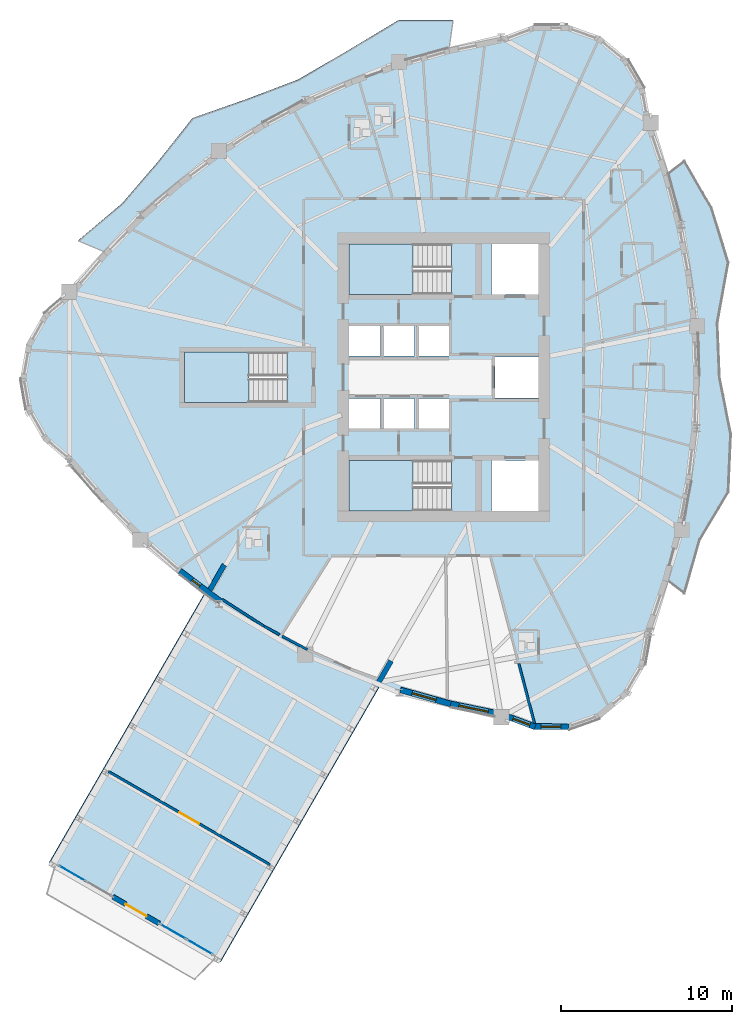
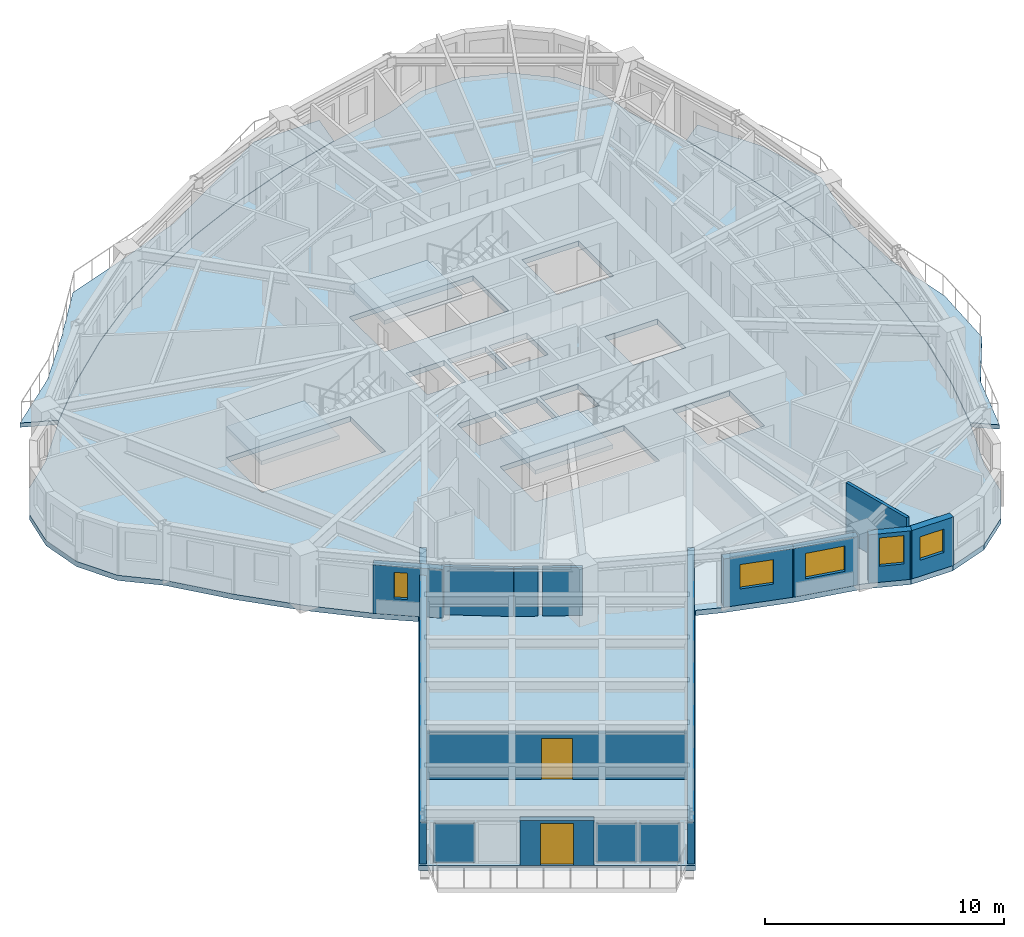
# One storey, part 4 of 17: 13 walls, 6 slabs, 5 windows, 3 plates, 2 doors, 7 openings, 5 elements without a shape of their own.
"""IFC4 building model written with IfcOpenShell, lengths in metres."""

from ifc_helpers import new_model, si_unit, direction, frame, frame_2d, origin, origin_2d, place, context, subcontext, project, spatial, polyline, rectangle, outline, extrude, source, transform, mapped, material, layer, layer_set, type_object, element, fill, aggregate, save


model = new_model("IFC4")

# Units and contexts
model_context = context("Model", 3, precision=1e-05, world=origin(), true_north=direction((0.0, 1.0)))
body_context = subcontext(model_context, "Body", "Model", "MODEL_VIEW")
ifc_project = project(units=[si_unit("LENGTHUNIT", "METRE"), si_unit("AREAUNIT", "SQUARE_METRE"), si_unit("VOLUMEUNIT", "CUBIC_METRE"), si_unit("PLANEANGLEUNIT", "RADIAN"), si_unit("MASSUNIT", "GRAM", prefix="KILO")], contexts=[model_context])

# Site, building, storey
site_placement = place(None, origin())
site = spatial("IfcSite", under=ifc_project, at=site_placement, CompositionType="ELEMENT")
building_placement = place(site_placement, origin())
building = spatial("IfcBuilding", under=site, at=building_placement, Name="Qafzar Sky-Pleat Residences", CompositionType="ELEMENT")
storey_placement = place(building_placement, frame((0.0, 0.0, 115.199951171875)))
storey = spatial("IfcBuildingStorey", under=building, at=storey_placement, Name="L34", CompositionType="ELEMENT", Elevation=115.199951171875)

# Slabs
ifc_material_1 = material(Name="Concrete C40/50", Category="concrete")
ifc_layer_1 = layer(ifc_material_1, 0.219970703125)
ifc_layer_set_1 = layer_set([ifc_layer_1], Name="Concrete C40/50")
slab_type_1 = type_object("IfcSlabType", Name="SLAB-BAL-220", PredefinedType="USERDEFINED", material=ifc_layer_set_1)
slab_1_placement = place(storey_placement, frame((0.0, 0.0, -0.219970703125)))
element("IfcSlab", 1, at=slab_1_placement, inside=storey, type_object=slab_type_1, Name="L34 Pleated Stone Balcony 1", ObjectType="BALCONY", PredefinedType="USERDEFINED", context=body_context, shape_type="SweptSolid", body=[
    extrude(outline(polyline([(44.269287109375, 17.06884765625), (44.83544921875, 20.0458984375), (45.175048828125, 23.02294921875), (45.288330078125, 26.0), (45.175048828125, 28.97705078125), (44.83544921875, 31.9541015625), (44.269287109375, 34.93115234375), (43.47705078125, 37.90771484375), (44.458251953125, 38.66259765625), (46.055908203125, 35.911865234375), (47.032958984375, 32.7314453125), (46.39501953125, 29.188720703125), (46.5263671875, 26.0), (47.18310546875, 22.6748046875), (47.032958984375, 19.2685546875), (45.354736328125, 16.47314453125), (44.458251953125, 13.33740234375), (43.47705078125, 14.09228515625), (44.269287109375, 17.06884765625)])), origin(), (0.0, 0.0, 1.0), 0.219970703125),
])
slab_2_placement = place(storey_placement, frame((0.0, 0.0, -0.219970703125)))
element("IfcSlab", 2, at=slab_2_placement, inside=storey, type_object=slab_type_1, Name="L34 Pleated Stone Balcony 2", ObjectType="BALCONY", PredefinedType="USERDEFINED", context=body_context, shape_type="SweptSolid", body=[
    extrude(outline(polyline([(27.753662109375, 44.442626953125), (24.946044921875, 43.43408203125), (22.251708984375, 42.23388671875), (19.670166015625, 40.84130859375), (17.201904296875, 39.256591796875), (14.84716796875, 37.480224609375), (12.60546875, 35.51171875), (10.477294921875, 33.351318359375), (8.966796875, 33.985107421875), (11.55224609375, 36.162353515625), (13.613037109375, 38.557373046875), (15.662109375, 41.14697265625), (18.868408203125, 42.269775390625), (21.83837890625, 43.40087890625), (24.663330078125, 45.047607421875), (27.72119140625, 46.88037109375), (30.8994140625, 46.88134765625), (30.67431640625, 45.2587890625), (27.753662109375, 44.442626953125)])), origin(), (0.0, 0.0, 1.0), 0.219970703125),
])

# Stair, slab
stair_type = type_object("IfcStairType", Name="STAIR-H320", PredefinedType="HALF_TURN_STAIR", material=ifc_material_1)
stair_1_placement = place(storey_placement, origin())
stair_1 = element("IfcStair", 3, at=stair_1_placement, inside=storey, type_object=stair_type, Name="L34 Protected Exit Stair ST1", PredefinedType="HALF_TURN_STAIR")
ifc_layer_2 = layer(ifc_material_1, 0.199951171875)
ifc_layer_set_2 = layer_set([ifc_layer_2], Name="Concrete C40/50")
slab_type_2 = type_object("IfcSlabType", Name="SLAB-LANDING-200", PredefinedType="LANDING", material=ifc_layer_set_2)
slab_3_placement = place(storey_placement, frame((0.0, 0.0, 1.400146484375)))
slab_3 = element("IfcSlab", 4, at=slab_3_placement, type_object=slab_type_2, Name="ST1 landing 1", PredefinedType="LANDING", context=body_context, shape_type="SweptSolid", body=[
    extrude(outline(polyline([(28.56005859375, 21.14990234375), (24.800048828125, 21.14990234375), (24.800048828125, 18.199951171875), (28.56005859375, 18.199951171875), (28.56005859375, 21.14990234375)])), origin(), (0.0, 0.0, 1.0), 0.199951171875),
])
aggregate(stair_1, [slab_3])

stair_2_placement = place(storey_placement, origin())
stair_2 = element("IfcStair", 5, at=stair_2_placement, inside=storey, type_object=stair_type, Name="L34 Protected Exit Stair ST2", PredefinedType="HALF_TURN_STAIR")
slab_4_placement = place(storey_placement, frame((0.0, 0.0, 1.400146484375)))
slab_4 = element("IfcSlab", 6, at=slab_4_placement, type_object=slab_type_2, Name="ST2 landing 1", PredefinedType="LANDING", context=body_context, shape_type="SweptSolid", body=[
    extrude(outline(polyline([(28.56005859375, 33.800048828125), (24.800048828125, 33.800048828125), (24.800048828125, 30.85009765625), (28.56005859375, 30.85009765625), (28.56005859375, 33.800048828125)])), origin(), (0.0, 0.0, 1.0), 0.199951171875),
])
aggregate(stair_2, [slab_4])

stair_3_placement = place(storey_placement, origin())
stair_3 = element("IfcStair", 7, at=stair_3_placement, inside=storey, type_object=stair_type, Name="L34 Protected Exit Stair ST3", PredefinedType="HALF_TURN_STAIR")
slab_5_placement = place(storey_placement, frame((0.0, 0.0, 1.400146484375)))
slab_5 = element("IfcSlab", 8, at=slab_5_placement, type_object=slab_type_2, Name="ST3 landing 1", PredefinedType="LANDING", context=body_context, shape_type="SweptSolid", body=[
    extrude(outline(polyline([(18.9599609375, 27.47509765625), (15.199951171875, 27.47509765625), (15.199951171875, 24.52490234375), (18.9599609375, 24.52490234375), (18.9599609375, 27.47509765625)])), origin(), (0.0, 0.0, 1.0), 0.199951171875),
])
aggregate(stair_3, [slab_5])

# Slab
ifc_layer_3 = layer(ifc_material_1, 0.264892578125)
ifc_layer_set_3 = layer_set([ifc_layer_3], Name="Concrete C40/50")
slab_type_3 = type_object("IfcSlabType", Name="SLAB-SB-265", PredefinedType="FLOOR", material=ifc_layer_set_3)
slab_6_placement = place(storey_placement, frame((0.0, 0.0, -0.264892578125)))
element("IfcSlab", 9, at=slab_6_placement, inside=storey, type_object=slab_type_3, Name="L34 Structural Floor Slab", PredefinedType="FLOOR", context=body_context, shape_type="SweptSolid", body=[
    extrude(outline(polyline([(17.31787109375, -8.172607421875), (7.27197265625, -2.37255859375), (16.3701171875, 13.3857421875), (14.856201171875, 14.527587890625), (12.61572265625, 16.49462890625), (10.48828125, 18.6533203125), (8.47412109375, 21.003662109375), (6.9541015625, 22.298828125), (5.963623046875, 24.032958984375), (5.619873046875, 26.0), (5.963623046875, 27.967041015625), (6.9541015625, 29.701171875), (8.47412109375, 30.996337890625), (10.48828125, 33.3466796875), (12.61572265625, 35.50537109375), (14.856201171875, 37.472412109375), (17.20947265625, 39.247314453125), (19.676025390625, 40.830810546875), (22.255615234375, 42.222412109375), (24.947998046875, 43.42236328125), (27.75390625, 44.4306640625), (30.672607421875, 45.2470703125), (33.704345703125, 45.87158203125), (35.599365234375, 46.57958984375), (37.622314453125, 46.593505859375), (39.527099609375, 45.91162109375), (41.081787109375, 44.6171875), (42.09716796875, 42.867431640625), (42.449951171875, 40.87548828125), (43.467529296875, 37.900390625), (44.2587890625, 34.92529296875), (44.82421875, 31.9501953125), (45.163330078125, 28.97509765625), (45.2763671875, 26.0), (45.163330078125, 23.02490234375), (44.82421875, 20.0498046875), (44.2587890625, 17.07470703125), (43.467529296875, 14.099609375), (42.449951171875, 11.12451171875), (42.09716796875, 9.132568359375), (41.081787109375, 7.3828125), (39.527099609375, 6.08837890625), (37.622314453125, 5.406494140625), (35.599365234375, 5.42041015625), (33.704345703125, 6.12841796875), (30.672607421875, 6.7529296875), (27.75390625, 7.5693359375), (26.637939453125, 7.970458984375), (17.31787109375, -8.172607421875)]), holes=[polyline([(30.797119140625, 21.14990234375), (24.800048828125, 21.14990234375), (24.800048828125, 18.199951171875), (30.797119140625, 18.199951171875), (30.797119140625, 21.14990234375)]), polyline([(30.797119140625, 33.800048828125), (24.800048828125, 33.800048828125), (24.800048828125, 30.85009765625), (30.797119140625, 30.85009765625), (30.797119140625, 33.800048828125)]), polyline([(21.197021484375, 27.47509765625), (15.199951171875, 27.47509765625), (15.199951171875, 24.52490234375), (21.197021484375, 24.52490234375), (21.197021484375, 27.47509765625)]), polyline([(24.800048828125, 22.949951171875), (26.64990234375, 22.949951171875), (26.64990234375, 24.75), (24.800048828125, 24.75), (24.800048828125, 22.949951171875)]), polyline([(26.800048828125, 22.949951171875), (28.64990234375, 22.949951171875), (28.64990234375, 24.75), (26.800048828125, 24.75), (26.800048828125, 22.949951171875)]), polyline([(28.800048828125, 22.949951171875), (30.64990234375, 22.949951171875), (30.64990234375, 24.75), (28.800048828125, 24.75), (28.800048828125, 22.949951171875)]), polyline([(24.800048828125, 27.25), (26.64990234375, 27.25), (26.64990234375, 29.050048828125), (24.800048828125, 29.050048828125), (24.800048828125, 27.25)]), polyline([(26.800048828125, 27.25), (28.64990234375, 27.25), (28.64990234375, 29.050048828125), (26.800048828125, 29.050048828125), (26.800048828125, 27.25)]), polyline([(28.800048828125, 27.25), (30.64990234375, 27.25), (30.64990234375, 29.050048828125), (28.800048828125, 29.050048828125), (28.800048828125, 27.25)]), polyline([(33.14990234375, 18.199951171875), (35.89990234375, 18.199951171875), (35.89990234375, 21.14990234375), (33.14990234375, 21.14990234375), (33.14990234375, 18.199951171875)]), polyline([(33.14990234375, 30.85009765625), (35.89990234375, 30.85009765625), (35.89990234375, 33.800048828125), (33.14990234375, 33.800048828125), (33.14990234375, 30.85009765625)]), polyline([(33.35009765625, 24.800048828125), (35.89990234375, 24.800048828125), (35.89990234375, 27.199951171875), (33.35009765625, 27.199951171875), (33.35009765625, 24.800048828125)])]), origin(), (0.0, 0.0, 1.0), 0.264892578125),
])

# Curtain wall, plates
ifc_material_2 = material(Name="Anodised bronze aluminium framing", Category="aluminium")
ifc_layer_4 = layer(ifc_material_2, 0.239990234375)
ifc_layer_set_4 = layer_set([ifc_layer_4], Name="Anodised bronze aluminium framing")
curtain_wall_type_1 = type_object("IfcCurtainWallType", Name="CW-SYS-02", PredefinedType="NOTDEFINED", material=ifc_layer_set_4)
curtain_wall_1_placement = place(storey_placement, origin())
curtain_wall_1 = element("IfcCurtainWall", 10, at=curtain_wall_1_placement, inside=storey, type_object=curtain_wall_type_1, Name="L34 CW-02 Curtain Wall CW-L34-SB-3-PROW-L", PredefinedType="NOTDEFINED")
ifc_material_3 = material(Name="Solar-control double low-E glazing", Category="glass")
ifc_layer_5 = layer(ifc_material_3, 0.031982421875)
ifc_layer_set_5 = layer_set([ifc_layer_5], Name="Solar-control double low-E glazing")
plate_type_1 = type_object("IfcPlateType", Name="CWP-02", PredefinedType="CURTAIN_PANEL", material=ifc_layer_set_5)
shared_shape_1 = source(origin(), body_context, "Body", "SweptSolid", [
    extrude(rectangle(XDim=1.7275390625, YDim=0.031982421875, at=origin_2d()), origin(), (0.0, 0.0, 1.0), 1.97998046875),
])
plate_1_placement = place(storey_placement, frame((16.0947265625, -7.293212890625, 0.074951171875), z_axis=(0.0, 0.0, 1.0), x_axis=(-0.866027204994, 0.499996880201, 0.0)))
plate_1 = element("IfcPlate", 11, at=plate_1_placement, type_object=plate_type_1, Name="CW-02 panel 1.1", PredefinedType="CURTAIN_PANEL", context=body_context, shape_type="MappedRepresentation", body=[
    mapped(shared_shape_1, transform((0.0, 0.0, 0.0), x_axis=(1.0, 0.0, 0.0), y_axis=(0.0, 1.0, 0.0), z_axis=(0.0, 0.0, 1.0), scale=1.0)),
])
plate_2_placement = place(storey_placement, frame((14.53369140625, -6.39208984375, 0.074951171875), z_axis=(0.0, 0.0, 1.0), x_axis=(-0.866027204994, 0.499996880201, 0.0)))
plate_2 = element("IfcPlate", 12, at=plate_2_placement, type_object=plate_type_1, Name="CW-02 panel 2.1", PredefinedType="CURTAIN_PANEL", context=body_context, shape_type="MappedRepresentation", body=[
    mapped(shared_shape_1, transform((0.0, 0.0, 0.0), x_axis=(1.0, 0.0, 0.0), y_axis=(0.0, 1.0, 0.0), z_axis=(0.0, 0.0, 1.0), scale=1.0)),
])
aggregate(curtain_wall_1, [plate_1, plate_2])

# Curtain wall, plate
ifc_layer_6 = layer(ifc_material_2, 0.219970703125)
ifc_layer_set_6 = layer_set([ifc_layer_6], Name="Anodised bronze aluminium framing")
curtain_wall_type_2 = type_object("IfcCurtainWallType", Name="CW-SYS-03", PredefinedType="NOTDEFINED", material=ifc_layer_set_6)
curtain_wall_2_placement = place(storey_placement, origin())
curtain_wall_2 = element("IfcCurtainWall", 13, at=curtain_wall_2_placement, inside=storey, type_object=curtain_wall_type_2, Name="L34 CW-03 Curtain Wall CW-L34-SB-3-PROW-R", PredefinedType="NOTDEFINED")
ifc_layer_7 = layer(ifc_material_3, 0.030029296875)
ifc_layer_set_7 = layer_set([ifc_layer_7], Name="Solar-control double low-E glazing")
plate_type_2 = type_object("IfcPlateType", Name="CWP-03", PredefinedType="CURTAIN_PANEL", material=ifc_layer_set_7)
shared_shape_2 = source(origin(), body_context, "Body", "SweptSolid", [
    extrude(rectangle(XDim=1.735107421875, YDim=0.030029296875, at=origin_2d()), origin(), (0.0, 0.0, 1.0), 1.989990234375),
])
plate_3_placement = place(storey_placement, frame((8.643798828125, -2.991455078125, 0.06982421875), z_axis=(0.0, 0.0, 1.0), x_axis=(-0.866027204994, 0.499996880201, 0.0)))
plate_3 = element("IfcPlate", 14, at=plate_3_placement, type_object=plate_type_2, Name="CW-03 panel 2.1", PredefinedType="CURTAIN_PANEL", context=body_context, shape_type="MappedRepresentation", body=[
    mapped(shared_shape_2, transform((0.0, 0.0, 0.0), x_axis=(1.0, 0.0, 0.0), y_axis=(0.0, 1.0, 0.0), z_axis=(0.0, 0.0, 1.0), scale=1.0)),
])
aggregate(curtain_wall_2, [plate_3])

# Wall, opening, door
ifc_material_4 = material(Name="Acoustic gypsum plasterboard partition", Category="gypsum")
ifc_layer_8 = layer(ifc_material_4, 0.14501953125)
ifc_layer_set_8 = layer_set([ifc_layer_8], Name="Acoustic gypsum plasterboard partition")
wall_type_1 = type_object("IfcWallType", Name="PART-UNIT-145", PredefinedType="PARTITIONING", material=ifc_layer_set_8)
wall_1_placement = place(storey_placement, frame((20.2060546875, -2.493896484375, 0.0), z_axis=(0.0, 0.0, 1.0), x_axis=(-0.866034115916, 0.499984909842, 0.0)))
wall_1 = element("IfcWall", 15, at=wall_1_placement, inside=storey, type_object=wall_type_1, Name="L34 Partition Wall PART-L34-PW-001", PredefinedType="PARTITIONING", context=body_context, shape_type="SweptSolid", body=[
    extrude(rectangle(XDim=10.924072265625, YDim=0.14501953125, at=frame_2d((5.4619140625, 0.0))), origin(), (0.0, 0.0, 1.0), 2.383056640625),
])
opening_1_placement = place(wall_1_placement, frame((4.812255859375, 0.0, 0.0)))
opening_1 = element("IfcOpeningElement", 16, at=opening_1_placement, cuts=wall_1, Name="Opening ID-05", PredefinedType="OPENING", context=body_context, shape_type="SweptSolid", body=[
    extrude(rectangle(XDim=1.300048828125, YDim=2.10009765625, at=frame_2d((0.64990234375, 1.050048828125))), frame((0.0, 0.08251953125, 0.0), z_axis=(0.0, -1.0, 0.0), x_axis=(1.0, 0.0, 0.0)), (0.0, 0.0, 1.0), 0.1650390625),
])
ifc_material_5 = material(Name="Timber-faced fire door", Category="wood")
door_type_1 = type_object("IfcDoorType", Name="DR-LNG-1300", OperationType="DOUBLE_DOOR_SINGLE_SWING", PredefinedType="DOOR", material=ifc_material_5)
shared_shape_3 = source(origin(), body_context, "Body", "SweptSolid", [
    extrude(rectangle(XDim=1.300048828125, YDim=2.10009765625, at=frame_2d((0.64990234375, 1.050048828125))), frame((0.0, 0.02490234375, 0.0), z_axis=(0.0, -1.0, 0.0), x_axis=(1.0, 0.0, 0.0)), (0.0, 0.0, 1.0), 0.050048828125),
])
door_1_placement = place(opening_1_placement, origin())
door_1 = element("IfcDoor", 17, at=door_1_placement, inside=storey, type_object=door_type_1, Name="L34 Panorama Sky Lounge Door", OperationType="DOUBLE_DOOR_SINGLE_SWING", OverallHeight=2.10009765625, OverallWidth=1.300048828125, PredefinedType="DOOR", context=body_context, shape_type="MappedRepresentation", body=[
    mapped(shared_shape_3, transform((0.0, 0.0, 0.0), x_axis=(1.0, 0.0, 0.0), y_axis=(0.0, 1.0, 0.0), z_axis=(0.0, 0.0, 1.0), scale=1.0)),
])
fill(opening_1, door_1)

# Walls
wall_2_placement = place(storey_placement, frame((34.73681640625, 9.263916015625, 0.0), z_axis=(0.0, 0.0, 1.0), x_axis=(0.253650405993, -0.967295958608, 0.0)))
element("IfcWall", 18, at=wall_2_placement, inside=storey, type_object=wall_type_1, Name="L34 Partition Wall PART-L34-PW-046", PredefinedType="PARTITIONING", context=body_context, shape_type="SweptSolid", body=[
    extrude(rectangle(XDim=3.607421875, YDim=0.14501953125, at=frame_2d((1.8037109375, 0.0))), origin(), (0.0, 0.0, 1.0), 2.949951171875),
])
wall_3_placement = place(storey_placement, frame((17.39794921875, 13.02392578125, 0.0), z_axis=(0.0, 0.0, 1.0), x_axis=(0.841590343852, -0.540116369994, 0.0)))
element("IfcWall", 19, at=wall_3_placement, inside=storey, type_object=wall_type_1, Name="L34 Partition Wall PART-L34-PW-052", PredefinedType="PARTITIONING", context=body_context, shape_type="SweptSolid", body=[
    extrude(rectangle(XDim=2.906494140625, YDim=0.14501953125, at=frame_2d((1.453125, 0.0))), origin(), (0.0, 0.0, 1.0), 2.468017578125),
])
wall_4_placement = place(storey_placement, frame((20.92041015625, 10.873291015625, 0.0), z_axis=(0.0, 0.0, 1.0), x_axis=(0.879929881444, -0.475103571595, 0.0)))
element("IfcWall", 20, at=wall_4_placement, inside=storey, type_object=wall_type_1, Name="L34 Partition Wall PART-L34-PW-064", PredefinedType="PARTITIONING", context=body_context, shape_type="SweptSolid", body=[
    extrude(rectangle(XDim=1.66748046875, YDim=0.14501953125, at=frame_2d((0.833740234375, 0.0))), origin(), (0.0, 0.0, 1.0), 2.468017578125),
])
wall_5_placement = place(storey_placement, frame((19.857177734375, 11.447021484375, 0.0), z_axis=(0.0, 0.0, 1.0), x_axis=(0.8800411893, -0.474897362738, 0.0)))
element("IfcWall", 21, at=wall_5_placement, inside=storey, type_object=wall_type_1, Name="L34 Partition Wall PART-L34-PW-086", PredefinedType="PARTITIONING", context=body_context, shape_type="SweptSolid", body=[
    extrude(rectangle(XDim=1.02197265625, YDim=0.14501953125, at=frame_2d((0.510986328125, 0.0))), origin(), (0.0, 0.0, 1.0), 2.468017578125),
])
ifc_material_6 = material(Name="Precast concrete C40/50 with honed Riyadh limestone", Category="concrete")
ifc_layer_9 = layer(ifc_material_6, 0.300048828125)
ifc_layer_set_9 = layer_set([ifc_layer_9], Name="Precast concrete C40/50 with honed Riyadh limestone")
wall_type_2 = type_object("IfcWallType", Name="WALL-EXT-300", PredefinedType="SOLIDWALL", material=ifc_layer_set_9)
wall_6_placement = place(storey_placement, frame((27.26708984375, 9.420166015625, 0.0), z_axis=(0.0, 0.0, 1.0), x_axis=(-0.500001212782, -0.866024703583, 0.0)))
element("IfcWall", 22, at=wall_6_placement, inside=storey, type_object=wall_type_2, Name="L34 SB-3 Side Spandrel Wall L", PredefinedType="SOLIDWALL", context=body_context, shape_type="SweptSolid", body=[
    extrude(rectangle(XDim=20.09033203125, YDim=0.300048828125, at=frame_2d((10.045166015625, 0.0))), origin(), (0.0, 0.0, 1.0), 2.130126953125),
])
wall_7_placement = place(storey_placement, frame((17.532958984375, 15.040283203125, 0.0), z_axis=(0.0, 0.0, 1.0), x_axis=(-0.499995950774, -0.866027741594, 0.0)))
element("IfcWall", 23, at=wall_7_placement, inside=storey, type_object=wall_type_2, Name="L34 SB-3 Side Spandrel Wall R", PredefinedType="SOLIDWALL", context=body_context, shape_type="SweptSolid", body=[
    extrude(rectangle(XDim=20.090576171875, YDim=0.300048828125, at=frame_2d((10.04541015625, 0.0))), origin(), (0.0, 0.0, 1.0), 2.130126953125),
])

# Wall, opening, door
wall_8_placement = place(storey_placement, frame((13.720703125, -5.922607421875, 0.0), z_axis=(0.0, 0.0, 1.0), x_axis=(-0.866009661879, 0.500027264788, 0.0)))
wall_8 = element("IfcWall", 24, at=wall_8_placement, inside=storey, type_object=wall_type_2, Name="L34 SB-3 Prow Portal Wall", PredefinedType="SOLIDWALL", context=body_context, shape_type="SweptSolid", body=[
    extrude(rectangle(XDim=3.119873046875, YDim=0.300048828125, at=frame_2d((1.56005859375, 0.0))), origin(), (0.0, 0.0, 1.0), 2.300048828125),
])
opening_2_placement = place(wall_8_placement, frame((0.860107421875, 0.0, 0.0)))
opening_2 = element("IfcOpeningElement", 25, at=opening_2_placement, cuts=wall_8, Name="Opening ED-07", PredefinedType="OPENING", context=body_context, shape_type="SweptSolid", body=[
    extrude(rectangle(XDim=1.39990234375, YDim=2.14990234375, at=frame_2d((0.699951171875, 1.074951171875))), frame((0.0, 0.16015625, 0.0), z_axis=(0.0, -1.0, 0.0), x_axis=(1.0, 0.0, 0.0)), (0.0, 0.0, 1.0), 0.320068359375),
])
ifc_material_7 = material(Name="Glazed bronze aluminium door", Category="aluminium")
door_type_2 = type_object("IfcDoorType", Name="DR-SB-1400", OperationType="DOUBLE_DOOR_SINGLE_SWING", PredefinedType="DOOR", material=ifc_material_7)
shared_shape_4 = source(origin(), body_context, "Body", "SweptSolid", [
    extrude(rectangle(XDim=1.39990234375, YDim=2.14990234375, at=frame_2d((0.699951171875, 1.074951171875))), frame((0.0, 0.02490234375, 0.0), z_axis=(0.0, -1.0, 0.0), x_axis=(1.0, 0.0, 0.0)), (0.0, 0.0, 1.0), 0.050048828125),
])
door_2_placement = place(opening_2_placement, origin())
door_2 = element("IfcDoor", 26, at=door_2_placement, inside=storey, type_object=door_type_2, Name="L34 SB-3 Tip Balcony Glazed Door", OperationType="DOUBLE_DOOR_SINGLE_SWING", OverallHeight=2.14990234375, OverallWidth=1.39990234375, PredefinedType="DOOR", context=body_context, shape_type="MappedRepresentation", body=[
    mapped(shared_shape_4, transform((0.0, 0.0, 0.0), x_axis=(1.0, 0.0, 0.0), y_axis=(0.0, 1.0, 0.0), z_axis=(0.0, 0.0, 1.0), scale=1.0)),
])
fill(opening_2, door_2)

# Wall, opening, window
ifc_layer_10 = layer(ifc_material_6, 0.340087890625)
ifc_layer_set_10 = layer_set([ifc_layer_10], Name="Precast concrete C40/50 with honed Riyadh limestone")
wall_type_3 = type_object("IfcWallType", Name="WALL-EXT-340", PredefinedType="SOLIDWALL", material=ifc_layer_set_10)
wall_9_placement = place(storey_placement, frame((14.927978515625, 14.686279296875, 0.0), z_axis=(0.0, 0.0, 1.0), x_axis=(0.798387010211, -0.602144651995, 0.0)))
wall_9 = element("IfcWall", 27, at=wall_9_placement, inside=storey, type_object=wall_type_3, Name="L34 Limestone Facade Wall 10", PredefinedType="SOLIDWALL", context=body_context, shape_type="SweptSolid", body=[
    extrude(rectangle(XDim=2.9658203125, YDim=0.340087890625, at=frame_2d((1.48291015625, 0.0))), origin(), (0.0, 0.0, 1.0), 2.47998046875),
])
opening_3_placement = place(wall_9_placement, frame((0.890869140625, 0.0, 0.820068359375)))
opening_3 = element("IfcOpeningElement", 28, at=opening_3_placement, cuts=wall_9, Name="Opening WN-17", PredefinedType="OPENING", context=body_context, shape_type="SweptSolid", body=[
    extrude(rectangle(XDim=0.580078125, YDim=1.35009765625, at=frame_2d((0.2900390625, 0.675048828125))), frame((0.0, 0.18017578125, 0.0), z_axis=(0.0, -1.0, 0.0), x_axis=(1.0, 0.0, 0.0)), (0.0, 0.0, 1.0), 0.360107421875),
])
ifc_material_8 = material(Name="Solar-control low-E glass in bronze aluminium frame", Category="glass")
window_type_1 = type_object("IfcWindowType", Name="WIN-17", PartitioningType="SINGLE_PANEL", PredefinedType="WINDOW", material=ifc_material_8)
shared_shape_5 = source(origin(), body_context, "Body", "SweptSolid", [
    extrude(rectangle(XDim=0.580078125, YDim=1.35009765625, at=frame_2d((0.2900390625, 0.675048828125))), frame((0.0, 0.030029296875, 0.0), z_axis=(0.0, -1.0, 0.0), x_axis=(1.0, 0.0, 0.0)), (0.0, 0.0, 1.0), 0.06005859375),
])
window_1_placement = place(opening_3_placement, origin())
window_1 = element("IfcWindow", 29, at=window_1_placement, inside=storey, type_object=window_type_1, Name="L34 Bedroom Casement Window BD-1", OverallHeight=1.35009765625, OverallWidth=0.580078125, PartitioningType="SINGLE_PANEL", PredefinedType="WINDOW", context=body_context, shape_type="MappedRepresentation", body=[
    mapped(shared_shape_5, transform((0.0, 0.0, 0.0), x_axis=(1.0, 0.0, 0.0), y_axis=(0.0, 1.0, 0.0), z_axis=(0.0, 0.0, 1.0), scale=1.0)),
])
fill(opening_3, window_1)

wall_10_placement = place(storey_placement, frame((27.81884765625, 7.727783203125, 0.0), z_axis=(0.0, 0.0, 1.0), x_axis=(0.963032186905, -0.269386352632, 0.0)))
wall_10 = element("IfcWall", 30, at=wall_10_placement, inside=storey, type_object=wall_type_3, Name="L34 Limestone Facade Wall 15", PredefinedType="SOLIDWALL", context=body_context, shape_type="SweptSolid", body=[
    extrude(rectangle(XDim=3.048828125, YDim=0.340087890625, at=frame_2d((1.5244140625, 0.0))), origin(), (0.0, 0.0, 1.0), 2.47998046875),
])
opening_4_placement = place(wall_10_placement, frame((0.71044921875, 0.0, 0.820068359375)))
opening_4 = element("IfcOpeningElement", 31, at=opening_4_placement, cuts=wall_10, Name="Opening WN-15", PredefinedType="OPENING", context=body_context, shape_type="SweptSolid", body=[
    extrude(rectangle(XDim=1.449951171875, YDim=1.25, at=frame_2d((0.72509765625, 0.625))), frame((0.0, 0.18017578125, 0.0), z_axis=(0.0, -1.0, 0.0), x_axis=(1.0, 0.0, 0.0)), (0.0, 0.0, 1.0), 0.360107421875),
])
window_type_2 = type_object("IfcWindowType", Name="WIN-15", PartitioningType="SINGLE_PANEL", PredefinedType="WINDOW", material=ifc_material_8)
shared_shape_6 = source(origin(), body_context, "Body", "SweptSolid", [
    extrude(rectangle(XDim=1.449951171875, YDim=1.25, at=frame_2d((0.72509765625, 0.625))), frame((0.0, 0.030029296875, 0.0), z_axis=(0.0, -1.0, 0.0), x_axis=(1.0, 0.0, 0.0)), (0.0, 0.0, 1.0), 0.06005859375),
])
window_2_placement = place(opening_4_placement, origin())
window_2 = element("IfcWindow", 32, at=window_2_placement, inside=storey, type_object=window_type_2, Name="L34 Punched Facade Window 15", OverallHeight=1.25, OverallWidth=1.449951171875, PartitioningType="SINGLE_PANEL", PredefinedType="WINDOW", context=body_context, shape_type="MappedRepresentation", body=[
    mapped(shared_shape_6, transform((0.0, 0.0, 0.0), x_axis=(1.0, 0.0, 0.0), y_axis=(0.0, 1.0, 0.0), z_axis=(0.0, 0.0, 1.0), scale=1.0)),
])
fill(opening_4, window_2)

wall_11_placement = place(storey_placement, frame((30.669677734375, 6.92724609375, 0.0), z_axis=(0.0, 0.0, 1.0), x_axis=(0.979422345081, -0.201821381317, 0.0)))
wall_11 = element("IfcWall", 33, at=wall_11_placement, inside=storey, type_object=wall_type_3, Name="L34 Limestone Facade Wall 16", PredefinedType="SOLIDWALL", context=body_context, shape_type="SweptSolid", body=[
    extrude(rectangle(XDim=2.9033203125, YDim=0.340087890625, at=frame_2d((1.45166015625, 0.0))), origin(), (0.0, 0.0, 1.0), 2.47998046875),
])
opening_5_placement = place(wall_11_placement, frame((0.581787109375, 0.0, 0.820068359375)))
opening_5 = element("IfcOpeningElement", 34, at=opening_5_placement, cuts=wall_11, Name="Opening WN-14", PredefinedType="OPENING", context=body_context, shape_type="SweptSolid", body=[
    extrude(rectangle(XDim=1.75, YDim=1.300048828125, at=frame_2d((0.875, 0.64990234375))), frame((0.0, 0.18017578125, 0.0), z_axis=(0.0, -1.0, 0.0), x_axis=(1.0, 0.0, 0.0)), (0.0, 0.0, 1.0), 0.360107421875),
])
window_type_3 = type_object("IfcWindowType", Name="WIN-14", PartitioningType="DOUBLE_PANEL_VERTICAL", PredefinedType="WINDOW", material=ifc_material_8)
shared_shape_7 = source(origin(), body_context, "Body", "SweptSolid", [
    extrude(rectangle(XDim=1.75, YDim=1.300048828125, at=frame_2d((0.875, 0.64990234375))), frame((0.0, 0.030029296875, 0.0), z_axis=(0.0, -1.0, 0.0), x_axis=(1.0, 0.0, 0.0)), (0.0, 0.0, 1.0), 0.06005859375),
])
window_3_placement = place(opening_5_placement, origin())
window_3 = element("IfcWindow", 35, at=window_3_placement, inside=storey, type_object=window_type_3, Name="L34 Punched Facade Window 16", OverallHeight=1.300048828125, OverallWidth=1.75, PartitioningType="SINGLE_PANEL", PredefinedType="WINDOW", context=body_context, shape_type="MappedRepresentation", body=[
    mapped(shared_shape_7, transform((0.0, 0.0, 0.0), x_axis=(1.0, 0.0, 0.0), y_axis=(0.0, 1.0, 0.0), z_axis=(0.0, 0.0, 1.0), scale=1.0)),
])
fill(opening_5, window_3)

wall_12_placement = place(storey_placement, frame((33.979248046875, 6.20703125, 0.0), z_axis=(0.0, 0.0, 1.0), x_axis=(0.936799566991, -0.349866504951, 0.0)))
wall_12 = element("IfcWall", 36, at=wall_12_placement, inside=storey, type_object=wall_type_3, Name="L34 Limestone Facade Wall 17", PredefinedType="SOLIDWALL", context=body_context, shape_type="SweptSolid", body=[
    extrude(rectangle(XDim=1.8310546875, YDim=0.340087890625, at=frame_2d((0.91552734375, 0.0))), origin(), (0.0, 0.0, 1.0), 2.47998046875),
])
opening_6_placement = place(wall_12_placement, frame((0.4560546875, 0.0, 0.820068359375)))
opening_6 = element("IfcOpeningElement", 37, at=opening_6_placement, cuts=wall_12, Name="Opening WN-06", PredefinedType="OPENING", context=body_context, shape_type="SweptSolid", body=[
    extrude(rectangle(XDim=1.050048828125, YDim=1.449951171875, at=frame_2d((0.52490234375, 0.72509765625))), frame((0.0, 0.18017578125, 0.0), z_axis=(0.0, -1.0, 0.0), x_axis=(1.0, 0.0, 0.0)), (0.0, 0.0, 1.0), 0.360107421875),
])
window_type_4 = type_object("IfcWindowType", Name="WIN-06", PartitioningType="SINGLE_PANEL", PredefinedType="WINDOW", material=ifc_material_8)
shared_shape_8 = source(origin(), body_context, "Body", "SweptSolid", [
    extrude(rectangle(XDim=1.050048828125, YDim=1.449951171875, at=frame_2d((0.52490234375, 0.72509765625))), frame((0.0, 0.030029296875, 0.0), z_axis=(0.0, -1.0, 0.0), x_axis=(1.0, 0.0, 0.0)), (0.0, 0.0, 1.0), 0.06005859375),
])
window_4_placement = place(opening_6_placement, origin())
window_4 = element("IfcWindow", 38, at=window_4_placement, inside=storey, type_object=window_type_4, Name="L34 Punched Facade Window 17", OverallHeight=1.449951171875, OverallWidth=1.050048828125, PartitioningType="SINGLE_PANEL", PredefinedType="WINDOW", context=body_context, shape_type="MappedRepresentation", body=[
    mapped(shared_shape_8, transform((0.0, 0.0, 0.0), x_axis=(1.0, 0.0, 0.0), y_axis=(0.0, 1.0, 0.0), z_axis=(0.0, 0.0, 1.0), scale=1.0)),
])
fill(opening_6, window_4)

wall_13_placement = place(storey_placement, frame((35.5625, 5.5908203125, 0.0), z_axis=(0.0, 0.0, 1.0), x_axis=(0.999976456891, -0.00686189939, 0.0)))
wall_13 = element("IfcWall", 39, at=wall_13_placement, inside=storey, type_object=wall_type_3, Name="L34 Limestone Facade Wall 18", PredefinedType="SOLIDWALL", context=body_context, shape_type="SweptSolid", body=[
    extrude(rectangle(XDim=2.09912109375, YDim=0.340087890625, at=frame_2d((1.049560546875, 0.0))), origin(), (0.0, 0.0, 1.0), 2.47998046875),
])
opening_7_placement = place(wall_13_placement, frame((0.481689453125, 0.0, 0.820068359375)))
opening_7 = element("IfcOpeningElement", 40, at=opening_7_placement, cuts=wall_13, Name="Opening WN-16", PredefinedType="OPENING", context=body_context, shape_type="SweptSolid", body=[
    extrude(rectangle(XDim=1.14990234375, YDim=1.199951171875, at=frame_2d((0.574951171875, 0.60009765625))), frame((0.0, 0.18017578125, 0.0), z_axis=(0.0, -1.0, 0.0), x_axis=(1.0, 0.0, 0.0)), (0.0, 0.0, 1.0), 0.360107421875),
])
window_type_5 = type_object("IfcWindowType", Name="WIN-16", PartitioningType="SINGLE_PANEL", PredefinedType="WINDOW", material=ifc_material_8)
shared_shape_9 = source(origin(), body_context, "Body", "SweptSolid", [
    extrude(rectangle(XDim=1.14990234375, YDim=1.199951171875, at=frame_2d((0.574951171875, 0.60009765625))), frame((0.0, 0.030029296875, 0.0), z_axis=(0.0, -1.0, 0.0), x_axis=(1.0, 0.0, 0.0)), (0.0, 0.0, 1.0), 0.06005859375),
])
window_5_placement = place(opening_7_placement, origin())
window_5 = element("IfcWindow", 41, at=window_5_placement, inside=storey, type_object=window_type_5, Name="L34 Punched Facade Window 18", OverallHeight=1.199951171875, OverallWidth=1.14990234375, PartitioningType="SINGLE_PANEL", PredefinedType="WINDOW", context=body_context, shape_type="MappedRepresentation", body=[
    mapped(shared_shape_9, transform((0.0, 0.0, 0.0), x_axis=(1.0, 0.0, 0.0), y_axis=(0.0, 1.0, 0.0), z_axis=(0.0, 0.0, 1.0), scale=1.0)),
])
fill(opening_7, window_5)

save(model, "model.ifc")
